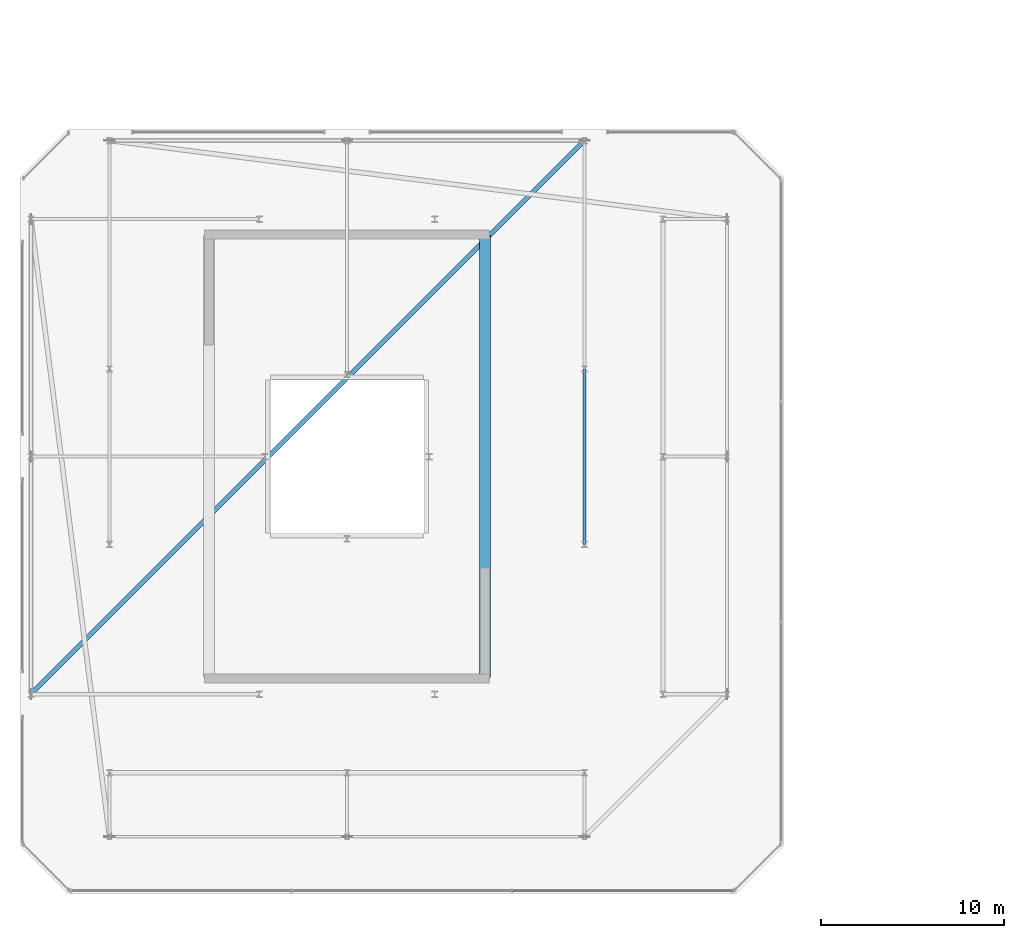
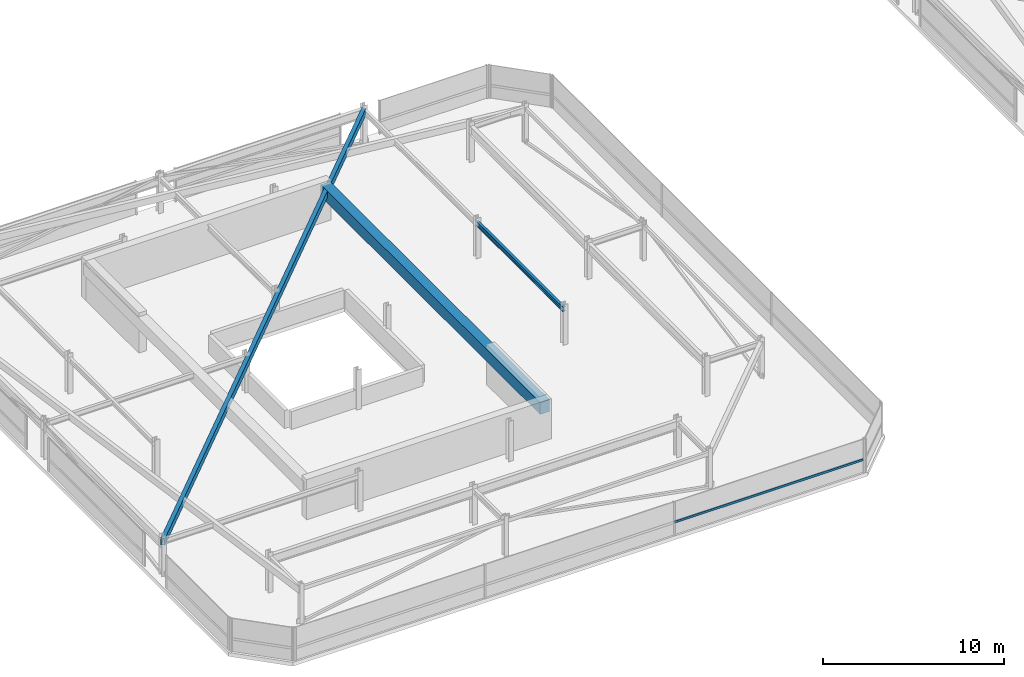
# One storey, part 17 of 44: 3 beams, 1 member, 1 element without a shape of its own.
"""IFC4 building model written with IfcOpenShell, lengths in metres."""

from ifc_helpers import new_model, si_unit, direction, frame, origin, origin_2d, place, context, subcontext, project, spatial, rectangle, hollow_rectangle, i_section, extrude, material, material_profile, profile_set, type_object, element, aggregate, save


model = new_model("IFC4")

# Units and contexts
model_context = context("Model", 3, precision=1e-05, world=origin(), true_north=direction((0.0, 1.0)))
body_context = subcontext(model_context, "Body", "Model", "MODEL_VIEW")
ifc_project = project(units=[si_unit("LENGTHUNIT", "METRE"), si_unit("AREAUNIT", "SQUARE_METRE"), si_unit("VOLUMEUNIT", "CUBIC_METRE"), si_unit("PLANEANGLEUNIT", "RADIAN"), si_unit("MASSUNIT", "GRAM", prefix="KILO")], contexts=[model_context])

# Site, building, storey
site_placement = place(None, origin())
site = spatial("IfcSite", under=ifc_project, at=site_placement, CompositionType="ELEMENT")
building_placement = place(site_placement, origin())
building = spatial("IfcBuilding", under=site, at=building_placement, Name="Thornwick Lancets Civic Towers", CompositionType="ELEMENT")
storey_placement = place(building_placement, frame((0.0, 0.0, 294.89990234375)))
storey = spatial("IfcBuildingStorey", under=building, at=storey_placement, Name="C06", CompositionType="ELEMENT", Elevation=294.89990234375)

# Beams
ifc_material_1 = material(Name="Concrete C60/75", Category="concrete")
ifc_material_profile_1 = material_profile(ifc_material_1, rectangle(XDim=0.60009765625, YDim=0.800048828125, at=origin_2d()), Name="RC 600x800")
ifc_profile_set_1 = profile_set([ifc_material_profile_1], Name="Concrete C60/75")
beam_type_1 = type_object("IfcBeamType", Name="BM_COUP_RC800", PredefinedType="BEAM", material=ifc_profile_set_1)
beam_1_placement = place(storey_placement, frame((33.050048828125, 14.89990234375, 2.0400390625), z_axis=(0.0, 1.0, 0.0), x_axis=(-1.0, 0.0, 0.0)))
element("IfcBeam", 1, at=beam_1_placement, inside=storey, type_object=beam_type_1, Name="CB-C06-A1", PredefinedType="BEAM", context=body_context, shape_type="SweptSolid", body=[
    extrude(rectangle(XDim=0.60009765625, YDim=0.800048828125, at=origin_2d()), origin(), (0.0, 0.0, 1.0), 24.2001953125),
])
ifc_material_2 = material(Name="Steel S355JR", Category="steel")
ifc_material_profile_2 = material_profile(ifc_material_2, i_section(OverallWidth=0.1669921875, OverallDepth=0.310302734375, WebThickness=0.0078125, FlangeThickness=0.013671875, FilletRadius=0.0087890625, at=origin_2d()), Name="UKB 305x165x54")
ifc_profile_set_2 = profile_set([ifc_material_profile_2], Name="Steel S355JR")
beam_type_2 = type_object("IfcBeamType", Name="BM_LINTEL_305_54", PredefinedType="LINTEL", material=ifc_profile_set_2)
beam_2_placement = place(storey_placement, frame((38.5, 22.199951171875, 2.284912109375), z_axis=(0.0, 1.0, 0.0), x_axis=(-1.0, 0.0, 0.0)))
element("IfcBeam", 2, at=beam_2_placement, inside=storey, type_object=beam_type_2, Name="BM-INSP-C06-A-1-3", PredefinedType="LINTEL", context=body_context, shape_type="SweptSolid", body=[
    extrude(i_section(OverallWidth=0.1669921875, OverallDepth=0.310302734375, WebThickness=0.0078125, FlangeThickness=0.013671875, FilletRadius=0.0087890625, at=origin_2d()), origin(), (0.0, 0.0, 1.0), 9.60009765625),
])
ifc_material_profile_3 = material_profile(ifc_material_2, hollow_rectangle(XDim=0.25, YDim=0.449951171875, WallThickness=0.01611328125, at=origin_2d()), Name="RHS 450x250x16")
ifc_profile_set_3 = profile_set([ifc_material_profile_3], Name="Steel S355JR")
beam_type_3 = type_object("IfcBeamType", Name="BM_RING_RHS450", PredefinedType="BEAM", material=ifc_profile_set_3)
beam_3_placement = place(storey_placement, frame((38.5, 44.300048828125, 2.215087890625), z_axis=(-0.707106781187, -0.707106781187, 0.0), x_axis=(0.707106781187, -0.707106781187, 0.0)))
element("IfcBeam", 3, at=beam_3_placement, inside=storey, type_object=beam_type_3, Name="BM-CHAMF-C06-A-C2", PredefinedType="BEAM", context=body_context, shape_type="SweptSolid", body=[
    extrude(hollow_rectangle(XDim=0.25, YDim=0.449951171875, WallThickness=0.01611328125, at=origin_2d()), origin(), (0.0, 0.0, 1.0), 42.850830078125),
])

# Curtain wall, member
ifc_material_3 = material(Name="Crown ring acoustic-louvre and glazing screen wall", Category="glass")
curtain_wall_type = type_object("IfcCurtainWallType", Name="CW_SYS_07", PredefinedType="NOTDEFINED", material=ifc_material_3)
curtain_wall_placement = place(storey_placement, origin())
curtain_wall = element("IfcCurtainWall", 4, at=curtain_wall_placement, inside=storey, type_object=curtain_wall_type, Name="C06 Curtain Wall CW-C06-A-E0", PredefinedType="NOTDEFINED")
ifc_material_4 = material(Name="Thermally broken bronze aluminium S355", Category="steel")
ifc_material_profile_4 = material_profile(ifc_material_4, hollow_rectangle(XDim=0.074951171875, YDim=0.14990234375, WallThickness=0.0048828125, at=origin_2d()), Name="RHS 150x75x5")
ifc_profile_set_4 = profile_set([ifc_material_profile_4], Name="Thermally broken bronze aluminium S355")
member_type = type_object("IfcMemberType", Name="CW_TRN_150", PredefinedType="USERDEFINED", material=ifc_profile_set_4)
member_placement = place(storey_placement, frame((34.5537109375, 3.2353515625, 0.85009765625), z_axis=(1.0, 0.0, 0.0), x_axis=(0.0, 1.0, 0.0)))
member = element("IfcMember", 5, at=member_placement, type_object=member_type, Name="CW-C06-A-E0 Transom 2", ObjectType="TRANSOM", PredefinedType="USERDEFINED", context=body_context, shape_type="SweptSolid", body=[
    extrude(hollow_rectangle(XDim=0.074951171875, YDim=0.14990234375, WallThickness=0.0048828125, at=origin_2d()), origin(), (0.0, 0.0, 1.0), 12.027587890625),
])
aggregate(curtain_wall, [member])

save(model, "model.ifc")
